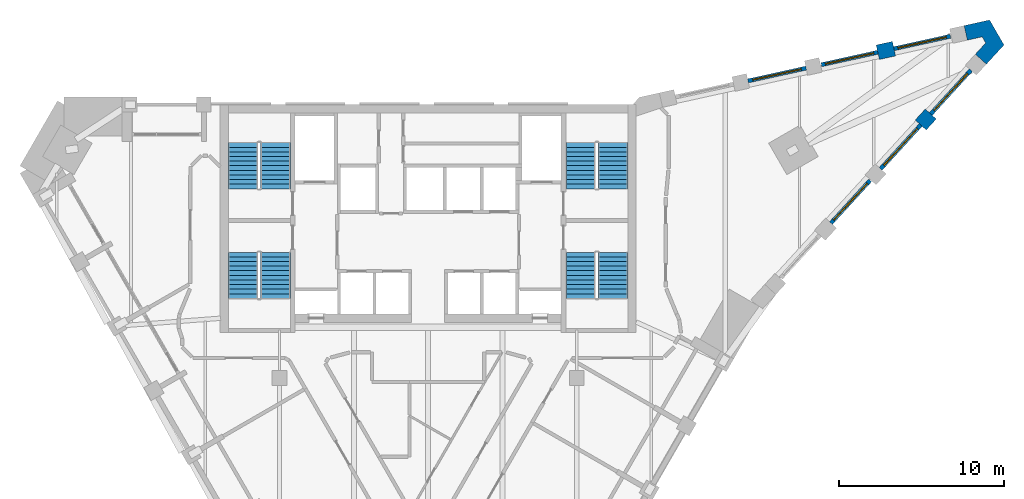
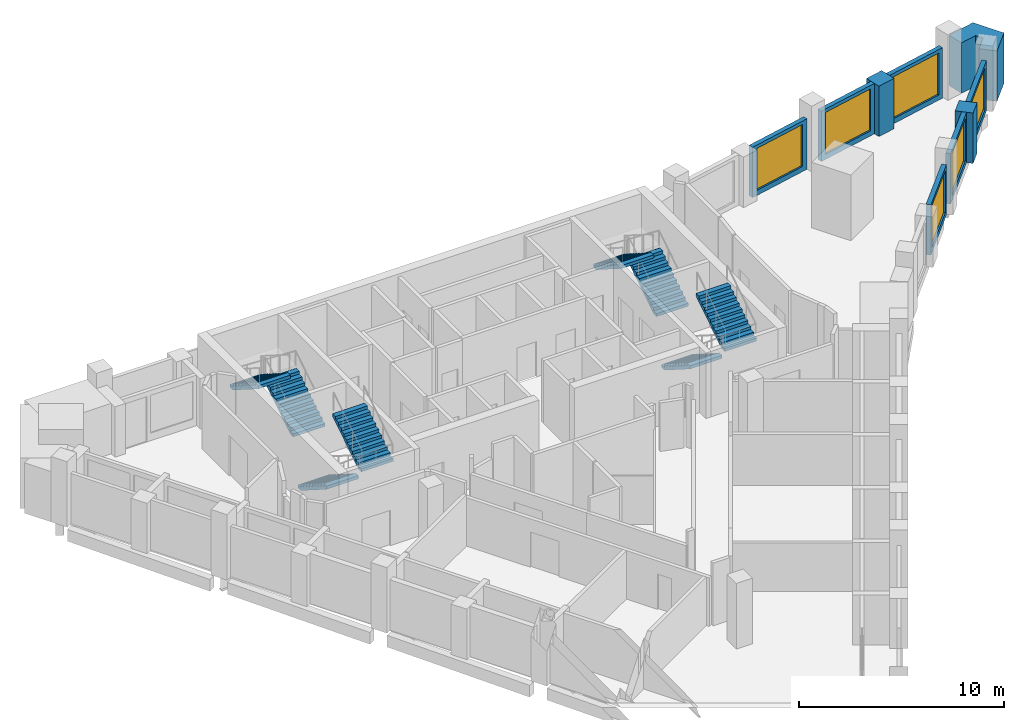
# One storey, part 7 of 8: 9 walls, 8 stair flights, 6 windows, 6 openings, 4 elements without a shape of their own.
"""IFC4 building model written with IfcOpenShell, lengths in metres."""

from ifc_helpers import new_model, si_unit, direction, frame, frame_2d, origin, place, context, subcontext, project, spatial, polyline, rectangle, outline, extrude, faceted_brep, source, transform, mapped, material, layer, layer_set, type_object, element, fill, aggregate, save


model = new_model("IFC4")

# Units and contexts
model_context = context("Model", 3, precision=1e-05, world=origin(), true_north=direction((0.0, 1.0)))
body_context = subcontext(model_context, "Body", "Model", "MODEL_VIEW")
ifc_project = project(units=[si_unit("LENGTHUNIT", "METRE"), si_unit("AREAUNIT", "SQUARE_METRE"), si_unit("VOLUMEUNIT", "CUBIC_METRE"), si_unit("PLANEANGLEUNIT", "RADIAN"), si_unit("MASSUNIT", "GRAM", prefix="KILO")], contexts=[model_context])

# Site, building, storey
site_placement = place(None, origin())
site = spatial("IfcSite", under=ifc_project, at=site_placement, CompositionType="ELEMENT")
building_placement = place(site_placement, origin())
building = spatial("IfcBuilding", under=site, at=building_placement, Name="Calabash Gate Tower", CompositionType="ELEMENT")
storey_placement = place(building_placement, frame((0.0, 0.0, 267.699951171875)))
storey = spatial("IfcBuildingStorey", under=building, at=storey_placement, Name="L64", CompositionType="ELEMENT", Elevation=267.699951171875)

# Walls
ifc_material_1 = material(Name="Terracotta brick masonry, exposed face", Category="masonry")
ifc_layer_1 = layer(ifc_material_1, 0.89990234375)
ifc_layer_set_1 = layer_set([ifc_layer_1], Name="Brick end wall 900")
wall_type_1 = type_object("IfcWallType", Name="Brick end wall 900", PredefinedType="SOLIDWALL", material=ifc_layer_set_1)
wall_1_placement = place(storey_placement, frame((30.44482421875, 18.47900390625, 0.0), z_axis=(0.0, 0.0, 1.0), x_axis=(-0.674938051731, -0.737874397391, 0.0)))
element("IfcWall", 1, at=wall_1_placement, inside=storey, type_object=wall_type_1, Name="Brick pier S18 wedge3.3", PredefinedType="SOLIDWALL", context=body_context, shape_type="SweptSolid", body=[
    extrude(rectangle(XDim=0.89990234375, YDim=0.89990234375, at=frame_2d((0.449951171875, 0.0))), origin(), (0.0, 0.0, 1.0), 3.0),
])
wall_2_placement = place(storey_placement, frame((28.21728515625, 22.436279296875, 0.0), z_axis=(0.0, 0.0, 1.0), x_axis=(-0.97656888558, -0.215205045752, 0.0)))
element("IfcWall", 2, at=wall_2_placement, inside=storey, type_object=wall_type_1, Name="Brick pier S18 wedge5.1", PredefinedType="SOLIDWALL", context=body_context, shape_type="SweptSolid", body=[
    extrude(rectangle(XDim=1.00390625, YDim=0.89990234375, at=frame_2d((0.501953125, 0.0))), origin(), (0.0, 0.0, 1.0), 3.0),
])
wall_3_placement = place(storey_placement, origin())
element("IfcWall", 3, at=wall_3_placement, inside=storey, type_object=wall_type_1, Name="Brick end wall S18 2", PredefinedType="SOLIDWALL", context=body_context, shape_type="SweptSolid", body=[
    extrude(outline(polyline([(33.813720703125, 21.496337890625), (34.881591796875, 22.663818359375), (34.0087890625, 24.175048828125), (32.4638671875, 23.834228515625), (32.65771484375, 22.955322265625), (33.55908203125, 23.154296875), (33.7724609375, 22.78466796875), (33.149658203125, 22.103759765625), (33.813720703125, 21.496337890625)])), origin(), (0.0, 0.0, 1.0), 3.0),
])

# Wall, opening, window
ifc_material_2 = material(Name="Aluminium framed window wall with insulated spandrel", Category="aluminium")
ifc_layer_2 = layer(ifc_material_2, 0.25)
ifc_layer_set_2 = layer_set([ifc_layer_2], Name="Prow window wall 250")
wall_type_2 = type_object("IfcWallType", Name="Prow window wall 250", PredefinedType="ELEMENTEDWALL", material=ifc_layer_set_2)
wall_4_placement = place(storey_placement, frame((24.40478515625, 11.87451171875, 0.0), z_axis=(0.0, 0.0, 1.0), x_axis=(0.67487449122, 0.737932531537, 0.0)))
wall_4 = element("IfcWall", 4, at=wall_4_placement, inside=storey, type_object=wall_type_2, Name="Prow window wall S18 wedge3.2", PredefinedType="ELEMENTEDWALL", context=body_context, shape_type="SweptSolid", body=[
    extrude(rectangle(XDim=3.5, YDim=0.25, at=frame_2d((1.75, 0.0))), origin(), (0.0, 0.0, 1.0), 3.0),
])
opening_1_placement = place(wall_4_placement, frame((0.25, 0.0, 0.300048828125)))
opening_1 = element("IfcOpeningElement", 5, at=opening_1_placement, cuts=wall_4, Name="Opening WP2", PredefinedType="OPENING", context=body_context, shape_type="SweptSolid", body=[
    extrude(rectangle(XDim=3.0, YDim=2.5, at=frame_2d((1.5, 1.25))), frame((0.0, 0.135009765625, 0.0), z_axis=(0.0, -1.0, 0.0), x_axis=(1.0, 0.0, 0.0)), (0.0, 0.0, 1.0), 0.27001953125),
])
ifc_material_3 = material(Name="Anodised aluminium frame, bronze finish, impact-rated laminated clear glazing", Category="aluminium")
window_type = type_object("IfcWindowType", Name="Window WP2 3000x2500", PartitioningType="DOUBLE_PANEL_VERTICAL", PredefinedType="WINDOW", material=ifc_material_3)
window_1_placement = place(opening_1_placement, origin())
window_1 = element("IfcWindow", 6, at=window_1_placement, inside=storey, type_object=window_type, Name="Prow window WP2 S18 wedge3.2", OverallHeight=2.5, OverallWidth=3.0, PartitioningType="SINGLE_PANEL", PredefinedType="WINDOW", context=body_context, shape_type="SweptSolid", body=[
    extrude(rectangle(XDim=3.0, YDim=2.5, at=frame_2d((1.5, 1.25))), frame((0.0, 0.030029296875, 0.0), z_axis=(0.0, -1.0, 0.0), x_axis=(1.0, 0.0, 0.0)), (0.0, 0.0, 1.0), 0.06005859375),
])
fill(opening_1, window_1)

wall_5_placement = place(storey_placement, frame((27.407958984375, 15.158203125, 0.0), z_axis=(0.0, 0.0, 1.0), x_axis=(0.674833575111, 0.737969949187, 0.0)))
wall_5 = element("IfcWall", 7, at=wall_5_placement, inside=storey, type_object=wall_type_2, Name="Prow window wall S18 wedge3.3", PredefinedType="ELEMENTEDWALL", context=body_context, shape_type="SweptSolid", body=[
    extrude(rectangle(XDim=3.60009765625, YDim=0.25, at=frame_2d((1.800048828125, 0.0))), origin(), (0.0, 0.0, 1.0), 3.0),
])
opening_2_placement = place(wall_5_placement, frame((0.300048828125, 0.0, 0.300048828125)))
opening_2 = element("IfcOpeningElement", 8, at=opening_2_placement, cuts=wall_5, Name="Opening WP2", PredefinedType="OPENING", context=body_context, shape_type="SweptSolid", body=[
    extrude(rectangle(XDim=3.0, YDim=2.5, at=frame_2d((1.5, 1.25))), frame((0.0, 0.135009765625, 0.0), z_axis=(0.0, -1.0, 0.0), x_axis=(1.0, 0.0, 0.0)), (0.0, 0.0, 1.0), 0.27001953125),
])
window_2_placement = place(opening_2_placement, origin())
window_2 = element("IfcWindow", 9, at=window_2_placement, inside=storey, type_object=window_type, Name="Prow window WP2 S18 wedge3.3", OverallHeight=2.5, OverallWidth=3.0, PartitioningType="SINGLE_PANEL", PredefinedType="WINDOW", context=body_context, shape_type="SweptSolid", body=[
    extrude(rectangle(XDim=3.0, YDim=2.5, at=frame_2d((1.5, 1.25))), frame((0.0, 0.030029296875, 0.0), z_axis=(0.0, -1.0, 0.0), x_axis=(1.0, 0.0, 0.0)), (0.0, 0.0, 1.0), 0.06005859375),
])
fill(opening_2, window_2)

wall_6_placement = place(storey_placement, frame((30.44482421875, 18.47900390625, 0.0), z_axis=(0.0, 0.0, 1.0), x_axis=(0.674833575111, 0.737969949187, 0.0)))
wall_6 = element("IfcWall", 10, at=wall_6_placement, inside=storey, type_object=wall_type_2, Name="Prow window wall S18 wedge3.4", PredefinedType="ELEMENTEDWALL", context=body_context, shape_type="SweptSolid", body=[
    extrude(rectangle(XDim=3.60009765625, YDim=0.25, at=frame_2d((1.800048828125, 0.0))), origin(), (0.0, 0.0, 1.0), 3.0),
])
opening_3_placement = place(wall_6_placement, frame((0.300048828125, 0.0, 0.300048828125)))
opening_3 = element("IfcOpeningElement", 11, at=opening_3_placement, cuts=wall_6, Name="Opening WP2", PredefinedType="OPENING", context=body_context, shape_type="SweptSolid", body=[
    extrude(rectangle(XDim=3.0, YDim=2.5, at=frame_2d((1.5, 1.25))), frame((0.0, 0.135009765625, 0.0), z_axis=(0.0, -1.0, 0.0), x_axis=(1.0, 0.0, 0.0)), (0.0, 0.0, 1.0), 0.27001953125),
])
window_3_placement = place(opening_3_placement, origin())
window_3 = element("IfcWindow", 12, at=window_3_placement, inside=storey, type_object=window_type, Name="Prow window WP2 S18 wedge3.4", OverallHeight=2.5, OverallWidth=3.0, PartitioningType="SINGLE_PANEL", PredefinedType="WINDOW", context=body_context, shape_type="SweptSolid", body=[
    extrude(rectangle(XDim=3.0, YDim=2.5, at=frame_2d((1.5, 1.25))), frame((0.0, 0.030029296875, 0.0), z_axis=(0.0, -1.0, 0.0), x_axis=(1.0, 0.0, 0.0)), (0.0, 0.0, 1.0), 0.06005859375),
])
fill(opening_3, window_3)

wall_7_placement = place(storey_placement, frame((31.633056640625, 23.190185546875, 0.0), z_axis=(0.0, 0.0, 1.0), x_axis=(-0.976509313763, -0.215475196101, 0.0)))
wall_7 = element("IfcWall", 13, at=wall_7_placement, inside=storey, type_object=wall_type_2, Name="Prow window wall S18 wedge5.1", PredefinedType="ELEMENTEDWALL", context=body_context, shape_type="SweptSolid", body=[
    extrude(rectangle(XDim=3.5, YDim=0.25, at=frame_2d((1.75, 0.0))), origin(), (0.0, 0.0, 1.0), 3.0),
])
opening_4_placement = place(wall_7_placement, frame((0.25, 0.0, 0.300048828125)))
opening_4 = element("IfcOpeningElement", 14, at=opening_4_placement, cuts=wall_7, Name="Opening WP2", PredefinedType="OPENING", context=body_context, shape_type="SweptSolid", body=[
    extrude(rectangle(XDim=3.0, YDim=2.5, at=frame_2d((1.5, 1.25))), frame((0.0, 0.135009765625, 0.0), z_axis=(0.0, -1.0, 0.0), x_axis=(1.0, 0.0, 0.0)), (0.0, 0.0, 1.0), 0.27001953125),
])
window_4_placement = place(opening_4_placement, origin())
window_4 = element("IfcWindow", 15, at=window_4_placement, inside=storey, type_object=window_type, Name="Prow window WP2 S18 wedge5.1", OverallHeight=2.5, OverallWidth=3.0, PartitioningType="SINGLE_PANEL", PredefinedType="WINDOW", context=body_context, shape_type="SweptSolid", body=[
    extrude(rectangle(XDim=3.0, YDim=2.5, at=frame_2d((1.5, 1.25))), frame((0.0, 0.030029296875, 0.0), z_axis=(0.0, -1.0, 0.0), x_axis=(1.0, 0.0, 0.0)), (0.0, 0.0, 1.0), 0.06005859375),
])
fill(opening_4, window_4)

wall_8_placement = place(storey_placement, frame((27.23876953125, 22.220458984375, 0.0), z_axis=(0.0, 0.0, 1.0), x_axis=(-0.976509313763, -0.215475196101, 0.0)))
wall_8 = element("IfcWall", 16, at=wall_8_placement, inside=storey, type_object=wall_type_2, Name="Prow window wall S18 wedge5.2", PredefinedType="ELEMENTEDWALL", context=body_context, shape_type="SweptSolid", body=[
    extrude(rectangle(XDim=3.5, YDim=0.25, at=frame_2d((1.75, 0.0))), origin(), (0.0, 0.0, 1.0), 3.0),
])
opening_5_placement = place(wall_8_placement, frame((0.25, 0.0, 0.300048828125)))
opening_5 = element("IfcOpeningElement", 17, at=opening_5_placement, cuts=wall_8, Name="Opening WP2", PredefinedType="OPENING", context=body_context, shape_type="SweptSolid", body=[
    extrude(rectangle(XDim=3.0, YDim=2.5, at=frame_2d((1.5, 1.25))), frame((0.0, 0.135009765625, 0.0), z_axis=(0.0, -1.0, 0.0), x_axis=(1.0, 0.0, 0.0)), (0.0, 0.0, 1.0), 0.27001953125),
])
window_5_placement = place(opening_5_placement, origin())
window_5 = element("IfcWindow", 18, at=window_5_placement, inside=storey, type_object=window_type, Name="Prow window WP2 S18 wedge5.2", OverallHeight=2.5, OverallWidth=3.0, PartitioningType="SINGLE_PANEL", PredefinedType="WINDOW", context=body_context, shape_type="SweptSolid", body=[
    extrude(rectangle(XDim=3.0, YDim=2.5, at=frame_2d((1.5, 1.25))), frame((0.0, 0.030029296875, 0.0), z_axis=(0.0, -1.0, 0.0), x_axis=(1.0, 0.0, 0.0)), (0.0, 0.0, 1.0), 0.06005859375),
])
fill(opening_5, window_5)

wall_9_placement = place(storey_placement, frame((22.893310546875, 21.26171875, 0.0), z_axis=(0.0, 0.0, 1.0), x_axis=(-0.976513072969, -0.215458159096, 0.0)))
wall_9 = element("IfcWall", 19, at=wall_9_placement, inside=storey, type_object=wall_type_2, Name="Prow window wall S18 wedge5.3", PredefinedType="ELEMENTEDWALL", context=body_context, shape_type="SweptSolid", body=[
    extrude(rectangle(XDim=3.599853515625, YDim=0.25, at=frame_2d((1.7998046875, 0.0))), origin(), (0.0, 0.0, 1.0), 3.0),
])
opening_6_placement = place(wall_9_placement, frame((0.300048828125, 0.0, 0.300048828125)))
opening_6 = element("IfcOpeningElement", 20, at=opening_6_placement, cuts=wall_9, Name="Opening WP2", PredefinedType="OPENING", context=body_context, shape_type="SweptSolid", body=[
    extrude(rectangle(XDim=3.0, YDim=2.5, at=frame_2d((1.5, 1.25))), frame((0.0, 0.135009765625, 0.0), z_axis=(0.0, -1.0, 0.0), x_axis=(1.0, 0.0, 0.0)), (0.0, 0.0, 1.0), 0.27001953125),
])
window_6_placement = place(opening_6_placement, origin())
window_6 = element("IfcWindow", 21, at=window_6_placement, inside=storey, type_object=window_type, Name="Prow window WP2 S18 wedge5.3", OverallHeight=2.5, OverallWidth=3.0, PartitioningType="SINGLE_PANEL", PredefinedType="WINDOW", context=body_context, shape_type="SweptSolid", body=[
    extrude(rectangle(XDim=3.0, YDim=2.5, at=frame_2d((1.5, 1.25))), frame((0.0, 0.030029296875, 0.0), z_axis=(0.0, -1.0, 0.0), x_axis=(1.0, 0.0, 0.0)), (0.0, 0.0, 1.0), 0.06005859375),
])
fill(opening_6, window_6)

# Stair, stair flights
ifc_material_4 = material(Name="Concrete C40/50", Category="concrete")
stair_type = type_object("IfcStairType", Name="Exit stair 22 risers of 177.3 mm", PredefinedType="HALF_TURN_STAIR", material=ifc_material_4)
stair_1_placement = place(storey_placement, origin())
stair_1 = element("IfcStair", 22, at=stair_1_placement, inside=storey, type_object=stair_type, Name="L64 Exit stair ST1", PredefinedType="HALF_TURN_STAIR")
ifc_material_5 = material(Name="Concrete C40/50", Category="concrete")
stair_flight_type = type_object("IfcStairFlightType", Name="Exit stair flight SFL", PredefinedType="STRAIGHT", material=ifc_material_5)
shared_shape = source(origin(), body_context, "Body", "Brep", [
    faceted_brep([(-0.0009765625, -0.89990234375, 0.0), (0.279541015625, -0.89990234375, 0.0), (2.791015625, -0.89990234375, 1.59521484375), (-0.0009765625, 0.89990234375, 0.0), (2.791015625, 0.89990234375, 1.59521484375), (0.279541015625, 0.89990234375, 0.0), (2.791015625, -0.89990234375, 1.78466796875), (2.7900390625, -0.89990234375, 1.78466796875), (2.7900390625, 0.89990234375, 1.78466796875), (2.791015625, 0.89990234375, 1.78466796875), (2.7900390625, -0.89990234375, 1.772705078125), (2.7900390625, 0.89990234375, 1.772705078125), (2.510986328125, -0.89990234375, 1.772705078125), (2.510986328125, 0.89990234375, 1.772705078125), (2.510986328125, -0.89990234375, 1.595458984375), (2.510986328125, 0.89990234375, 1.595458984375), (2.23193359375, -0.89990234375, 1.595458984375), (2.23193359375, 0.89990234375, 1.595458984375), (2.23193359375, -0.89990234375, 1.418212890625), (2.23193359375, 0.89990234375, 1.418212890625), (1.952880859375, -0.89990234375, 1.418212890625), (1.952880859375, -0.89990234375, 1.240966796875), (1.952880859375, 0.89990234375, 1.240966796875), (1.952880859375, 0.89990234375, 1.418212890625), (1.674072265625, -0.89990234375, 1.240966796875), (1.674072265625, -0.89990234375, 1.063720703125), (1.674072265625, 0.89990234375, 1.063720703125), (1.674072265625, 0.89990234375, 1.240966796875), (1.39501953125, -0.89990234375, 1.063720703125), (1.39501953125, -0.89990234375, 0.886474609375), (1.39501953125, 0.89990234375, 0.886474609375), (1.39501953125, 0.89990234375, 1.063720703125), (1.115966796875, -0.89990234375, 0.886474609375), (1.115966796875, -0.89990234375, 0.708984375), (1.115966796875, 0.89990234375, 0.708984375), (1.115966796875, 0.89990234375, 0.886474609375), (0.8369140625, -0.89990234375, 0.708984375), (0.8369140625, -0.89990234375, 0.53173828125), (0.8369140625, 0.89990234375, 0.53173828125), (0.8369140625, 0.89990234375, 0.708984375), (0.55810546875, -0.89990234375, 0.53173828125), (0.55810546875, -0.89990234375, 0.3544921875), (0.55810546875, 0.89990234375, 0.3544921875), (0.55810546875, 0.89990234375, 0.53173828125), (0.279052734375, -0.89990234375, 0.3544921875), (0.279052734375, -0.89990234375, 0.17724609375), (0.279052734375, 0.89990234375, 0.17724609375), (0.279052734375, 0.89990234375, 0.3544921875), (-0.0009765625, -0.89990234375, 0.17724609375), (-0.0009765625, 0.89990234375, 0.17724609375), (0.279541015625, -0.360107421875, 0.0), (2.791015625, -0.360107421875, 1.59521484375), (0.279541015625, 0.0, 0.0), (2.791015625, 0.0, 1.59521484375), (0.279541015625, 0.360107421875, 0.0), (2.791015625, 0.360107421875, 1.59521484375), (2.791015625, -0.360107421875, 1.78466796875), (2.791015625, 0.0, 1.78466796875), (2.791015625, 0.360107421875, 1.78466796875), (2.7900390625, -0.360107421875, 1.78466796875), (2.7900390625, 0.0, 1.78466796875), (2.7900390625, 0.360107421875, 1.78466796875), (2.7900390625, -0.360107421875, 1.772705078125), (2.7900390625, 0.0, 1.772705078125), (2.7900390625, 0.360107421875, 1.772705078125), (2.510986328125, -0.360107421875, 1.772705078125), (2.510986328125, 0.0, 1.772705078125), (2.510986328125, 0.360107421875, 1.772705078125), (2.510986328125, -0.360107421875, 1.595458984375), (2.510986328125, 0.0, 1.595458984375), (2.510986328125, 0.360107421875, 1.595458984375), (2.23193359375, -0.360107421875, 1.595458984375), (2.23193359375, 0.0, 1.595458984375), (2.23193359375, 0.360107421875, 1.595458984375), (2.23193359375, -0.360107421875, 1.418212890625), (2.23193359375, 0.0, 1.418212890625), (2.23193359375, 0.360107421875, 1.418212890625), (1.952880859375, -0.360107421875, 1.418212890625), (1.952880859375, 0.0, 1.418212890625), (1.952880859375, 0.360107421875, 1.418212890625), (1.952880859375, -0.360107421875, 1.240966796875), (1.952880859375, 0.0, 1.240966796875), (1.952880859375, 0.360107421875, 1.240966796875), (1.674072265625, -0.360107421875, 1.240966796875), (1.674072265625, 0.0, 1.240966796875), (1.674072265625, 0.360107421875, 1.240966796875), (1.674072265625, -0.360107421875, 1.063720703125), (1.674072265625, 0.0, 1.063720703125), (1.674072265625, 0.360107421875, 1.063720703125), (1.39501953125, -0.360107421875, 1.063720703125), (1.39501953125, 0.0, 1.063720703125), (1.39501953125, 0.360107421875, 1.063720703125), (1.39501953125, -0.360107421875, 0.886474609375), (1.39501953125, 0.0, 0.886474609375), (1.39501953125, 0.360107421875, 0.886474609375), (1.115966796875, -0.360107421875, 0.886474609375), (1.115966796875, 0.0, 0.886474609375), (1.115966796875, 0.360107421875, 0.886474609375), (1.115966796875, -0.360107421875, 0.708984375), (1.115966796875, 0.0, 0.708984375), (1.115966796875, 0.360107421875, 0.708984375), (0.8369140625, -0.360107421875, 0.708984375), (0.8369140625, 0.0, 0.708984375), (0.8369140625, 0.360107421875, 0.708984375), (0.8369140625, -0.360107421875, 0.53173828125), (0.8369140625, 0.0, 0.53173828125), (0.8369140625, 0.360107421875, 0.53173828125), (0.55810546875, -0.360107421875, 0.53173828125), (0.55810546875, 0.0, 0.53173828125), (0.55810546875, 0.360107421875, 0.53173828125), (0.55810546875, -0.360107421875, 0.3544921875), (0.55810546875, 0.0, 0.3544921875), (0.55810546875, 0.360107421875, 0.3544921875), (0.279052734375, -0.360107421875, 0.3544921875), (0.279052734375, 0.0, 0.3544921875), (0.279052734375, 0.360107421875, 0.3544921875), (0.279052734375, -0.360107421875, 0.17724609375), (0.279052734375, 0.0, 0.17724609375), (0.279052734375, 0.360107421875, 0.17724609375), (-0.0009765625, -0.360107421875, 0.17724609375), (-0.0009765625, 0.0, 0.17724609375), (-0.0009765625, 0.360107421875, 0.17724609375), (-0.0009765625, -0.360107421875, 0.0), (-0.0009765625, 0.0, 0.0), (-0.0009765625, 0.360107421875, 0.0)], [[[0, 1, 2]], [[3, 4, 5]], [[2, 6, 7]], [[4, 8, 9]], [[2, 7, 10]], [[4, 11, 8]], [[2, 10, 12]], [[4, 13, 11]], [[2, 12, 14]], [[4, 15, 13]], [[2, 14, 16]], [[4, 17, 15]], [[2, 16, 18]], [[4, 19, 17]], [[18, 20, 21]], [[19, 22, 23]], [[2, 18, 21]], [[4, 22, 19]], [[21, 24, 25]], [[22, 26, 27]], [[2, 21, 25]], [[4, 26, 22]], [[25, 28, 29]], [[26, 30, 31]], [[2, 25, 29]], [[4, 30, 26]], [[29, 32, 33]], [[30, 34, 35]], [[2, 29, 33]], [[4, 34, 30]], [[33, 36, 37]], [[34, 38, 39]], [[2, 33, 37]], [[4, 38, 34]], [[37, 40, 41]], [[38, 42, 43]], [[2, 37, 41]], [[4, 42, 38]], [[41, 44, 45]], [[42, 46, 47]], [[2, 41, 45]], [[4, 46, 42]], [[0, 2, 45]], [[3, 46, 4]], [[45, 48, 0]], [[46, 3, 49]], [[1, 50, 2]], [[50, 51, 2]], [[50, 52, 51]], [[52, 53, 51]], [[52, 54, 55]], [[52, 55, 53]], [[54, 5, 4]], [[54, 4, 55]], [[2, 51, 6]], [[51, 56, 6]], [[51, 53, 56]], [[53, 57, 56]], [[53, 55, 58]], [[53, 58, 57]], [[55, 4, 9]], [[55, 9, 58]], [[6, 56, 7]], [[56, 59, 7]], [[56, 57, 59]], [[57, 60, 59]], [[57, 58, 61]], [[57, 61, 60]], [[58, 9, 8]], [[58, 8, 61]], [[7, 59, 10]], [[59, 62, 10]], [[59, 60, 62]], [[60, 63, 62]], [[60, 61, 64]], [[60, 64, 63]], [[61, 8, 11]], [[61, 11, 64]], [[10, 62, 12]], [[62, 65, 12]], [[62, 63, 65]], [[63, 66, 65]], [[63, 64, 67]], [[63, 67, 66]], [[64, 11, 13]], [[64, 13, 67]], [[12, 65, 14]], [[65, 68, 14]], [[65, 66, 68]], [[66, 69, 68]], [[66, 67, 70]], [[66, 70, 69]], [[67, 13, 15]], [[67, 15, 70]], [[14, 68, 16]], [[68, 71, 16]], [[68, 69, 71]], [[69, 72, 71]], [[69, 70, 73]], [[69, 73, 72]], [[70, 15, 17]], [[70, 17, 73]], [[16, 71, 18]], [[71, 74, 18]], [[71, 72, 74]], [[72, 75, 74]], [[72, 73, 76]], [[72, 76, 75]], [[73, 17, 19]], [[73, 19, 76]], [[18, 74, 20]], [[74, 77, 20]], [[74, 75, 77]], [[75, 78, 77]], [[75, 76, 79]], [[75, 79, 78]], [[76, 19, 23]], [[76, 23, 79]], [[20, 77, 21]], [[77, 80, 21]], [[77, 78, 80]], [[78, 81, 80]], [[78, 79, 82]], [[78, 82, 81]], [[79, 23, 22]], [[79, 22, 82]], [[21, 80, 24]], [[80, 83, 24]], [[80, 81, 83]], [[81, 84, 83]], [[81, 82, 85]], [[81, 85, 84]], [[82, 22, 27]], [[82, 27, 85]], [[24, 83, 25]], [[83, 86, 25]], [[83, 84, 86]], [[84, 87, 86]], [[84, 85, 88]], [[84, 88, 87]], [[85, 27, 26]], [[85, 26, 88]], [[25, 86, 28]], [[86, 89, 28]], [[86, 87, 89]], [[87, 90, 89]], [[87, 88, 91]], [[87, 91, 90]], [[88, 26, 31]], [[88, 31, 91]], [[28, 89, 29]], [[89, 92, 29]], [[89, 90, 92]], [[90, 93, 92]], [[90, 91, 94]], [[90, 94, 93]], [[91, 31, 30]], [[91, 30, 94]], [[29, 92, 32]], [[92, 95, 32]], [[92, 93, 95]], [[93, 96, 95]], [[93, 94, 97]], [[93, 97, 96]], [[94, 30, 35]], [[94, 35, 97]], [[32, 95, 33]], [[95, 98, 33]], [[95, 96, 98]], [[96, 99, 98]], [[96, 97, 100]], [[96, 100, 99]], [[97, 35, 34]], [[97, 34, 100]], [[33, 98, 36]], [[98, 101, 36]], [[98, 99, 101]], [[99, 102, 101]], [[99, 100, 103]], [[99, 103, 102]], [[100, 34, 39]], [[100, 39, 103]], [[36, 101, 37]], [[101, 104, 37]], [[101, 102, 104]], [[102, 105, 104]], [[102, 103, 106]], [[102, 106, 105]], [[103, 39, 38]], [[103, 38, 106]], [[37, 104, 40]], [[104, 107, 40]], [[104, 105, 107]], [[105, 108, 107]], [[105, 106, 109]], [[105, 109, 108]], [[106, 38, 43]], [[106, 43, 109]], [[40, 107, 41]], [[107, 110, 41]], [[107, 108, 110]], [[108, 111, 110]], [[108, 109, 112]], [[108, 112, 111]], [[109, 43, 42]], [[109, 42, 112]], [[41, 110, 44]], [[110, 113, 44]], [[110, 111, 113]], [[111, 114, 113]], [[111, 112, 115]], [[111, 115, 114]], [[112, 42, 47]], [[112, 47, 115]], [[44, 113, 45]], [[113, 116, 45]], [[113, 114, 116]], [[114, 117, 116]], [[114, 115, 118]], [[114, 118, 117]], [[115, 47, 46]], [[115, 46, 118]], [[45, 116, 48]], [[116, 119, 48]], [[116, 117, 119]], [[117, 120, 119]], [[117, 118, 121]], [[117, 121, 120]], [[118, 46, 49]], [[118, 49, 121]], [[48, 119, 0]], [[119, 122, 0]], [[119, 120, 122]], [[120, 123, 122]], [[120, 121, 124]], [[120, 124, 123]], [[121, 49, 3]], [[121, 3, 124]], [[0, 122, 1]], [[122, 50, 1]], [[122, 123, 50]], [[123, 52, 50]], [[123, 124, 54]], [[123, 54, 52]], [[124, 3, 5]], [[124, 5, 54]]]),
])
stair_flight_1_placement = place(storey_placement, frame((-9.25, 13.95263671875, 0.0), z_axis=(0.0, 0.0, 1.0), x_axis=(0.0, 1.0, 0.0)))
stair_flight_1 = element("IfcStairFlight", 23, at=stair_flight_1_placement, type_object=stair_flight_type, Name="ST1 flight 1", NumberOfRisers=11, NumberOfTreads=10, PredefinedType="STRAIGHT", RiserHeight=0.177272727, TreadLength=0.279, context=body_context, shape_type="MappedRepresentation", body=[
    mapped(shared_shape, transform((0.0, 0.0, 0.0), scale=1.0)),
])
stair_flight_2_placement = place(storey_placement, frame((-11.199951171875, 16.74267578125, 1.949951171875), z_axis=(0.0, 0.0, 1.0), x_axis=(0.0, -1.0, 0.0)))
stair_flight_2 = element("IfcStairFlight", 24, at=stair_flight_2_placement, type_object=stair_flight_type, Name="ST1 flight 2", NumberOfRisers=11, NumberOfTreads=10, PredefinedType="STRAIGHT", RiserHeight=0.177272727, TreadLength=0.279, context=body_context, shape_type="MappedRepresentation", body=[
    mapped(shared_shape, transform((0.0, 0.0, 0.0), scale=1.0)),
])
aggregate(stair_1, [stair_flight_1, stair_flight_2])

stair_2_placement = place(storey_placement, origin())
stair_2 = element("IfcStair", 25, at=stair_2_placement, inside=storey, type_object=stair_type, Name="L64 Exit stair ST2", PredefinedType="HALF_TURN_STAIR")
stair_flight_3_placement = place(storey_placement, frame((-11.199951171875, 10.1025390625, 0.0), z_axis=(0.0, 0.0, 1.0), x_axis=(0.0, -1.0, 0.0)))
stair_flight_3 = element("IfcStairFlight", 26, at=stair_flight_3_placement, type_object=stair_flight_type, Name="ST2 flight 1", NumberOfRisers=11, NumberOfTreads=10, PredefinedType="STRAIGHT", RiserHeight=0.177272727, TreadLength=0.279, context=body_context, shape_type="MappedRepresentation", body=[
    mapped(shared_shape, transform((0.0, 0.0, 0.0), scale=1.0)),
])
stair_flight_4_placement = place(storey_placement, frame((-9.25, 7.3125, 1.949951171875), z_axis=(0.0, 0.0, 1.0), x_axis=(0.0, 1.0, 0.0)))
stair_flight_4 = element("IfcStairFlight", 27, at=stair_flight_4_placement, type_object=stair_flight_type, Name="ST2 flight 2", NumberOfRisers=11, NumberOfTreads=10, PredefinedType="STRAIGHT", RiserHeight=0.177272727, TreadLength=0.279, context=body_context, shape_type="MappedRepresentation", body=[
    mapped(shared_shape, transform((0.0, 0.0, 0.0), scale=1.0)),
])
aggregate(stair_2, [stair_flight_3, stair_flight_4])

stair_3_placement = place(storey_placement, origin())
stair_3 = element("IfcStair", 28, at=stair_3_placement, inside=storey, type_object=stair_type, Name="L64 Exit stair ST3", PredefinedType="HALF_TURN_STAIR")
stair_flight_5_placement = place(storey_placement, frame((11.199951171875, 13.95263671875, 0.0), z_axis=(0.0, 0.0, 1.0), x_axis=(0.0, 1.0, 0.0)))
stair_flight_5 = element("IfcStairFlight", 29, at=stair_flight_5_placement, type_object=stair_flight_type, Name="ST3 flight 1", NumberOfRisers=11, NumberOfTreads=10, PredefinedType="STRAIGHT", RiserHeight=0.177272727, TreadLength=0.279, context=body_context, shape_type="MappedRepresentation", body=[
    mapped(shared_shape, transform((0.0, 0.0, 0.0), scale=1.0)),
])
stair_flight_6_placement = place(storey_placement, frame((9.25, 16.74267578125, 1.949951171875), z_axis=(0.0, 0.0, 1.0), x_axis=(0.0, -1.0, 0.0)))
stair_flight_6 = element("IfcStairFlight", 30, at=stair_flight_6_placement, type_object=stair_flight_type, Name="ST3 flight 2", NumberOfRisers=11, NumberOfTreads=10, PredefinedType="STRAIGHT", RiserHeight=0.177272727, TreadLength=0.279, context=body_context, shape_type="MappedRepresentation", body=[
    mapped(shared_shape, transform((0.0, 0.0, 0.0), scale=1.0)),
])
aggregate(stair_3, [stair_flight_5, stair_flight_6])

stair_4_placement = place(storey_placement, origin())
stair_4 = element("IfcStair", 31, at=stair_4_placement, inside=storey, type_object=stair_type, Name="L64 Exit stair ST4", PredefinedType="HALF_TURN_STAIR")
stair_flight_7_placement = place(storey_placement, frame((9.25, 10.1025390625, 0.0), z_axis=(0.0, 0.0, 1.0), x_axis=(0.0, -1.0, 0.0)))
stair_flight_7 = element("IfcStairFlight", 32, at=stair_flight_7_placement, type_object=stair_flight_type, Name="ST4 flight 1", NumberOfRisers=11, NumberOfTreads=10, PredefinedType="STRAIGHT", RiserHeight=0.177272727, TreadLength=0.279, context=body_context, shape_type="MappedRepresentation", body=[
    mapped(shared_shape, transform((0.0, 0.0, 0.0), scale=1.0)),
])
stair_flight_8_placement = place(storey_placement, frame((11.199951171875, 7.3125, 1.949951171875), z_axis=(0.0, 0.0, 1.0), x_axis=(0.0, 1.0, 0.0)))
stair_flight_8 = element("IfcStairFlight", 33, at=stair_flight_8_placement, type_object=stair_flight_type, Name="ST4 flight 2", NumberOfRisers=11, NumberOfTreads=10, PredefinedType="STRAIGHT", RiserHeight=0.177272727, TreadLength=0.279, context=body_context, shape_type="MappedRepresentation", body=[
    mapped(shared_shape, transform((0.0, 0.0, 0.0), scale=1.0)),
])
aggregate(stair_4, [stair_flight_7, stair_flight_8])

save(model, "model.ifc")
